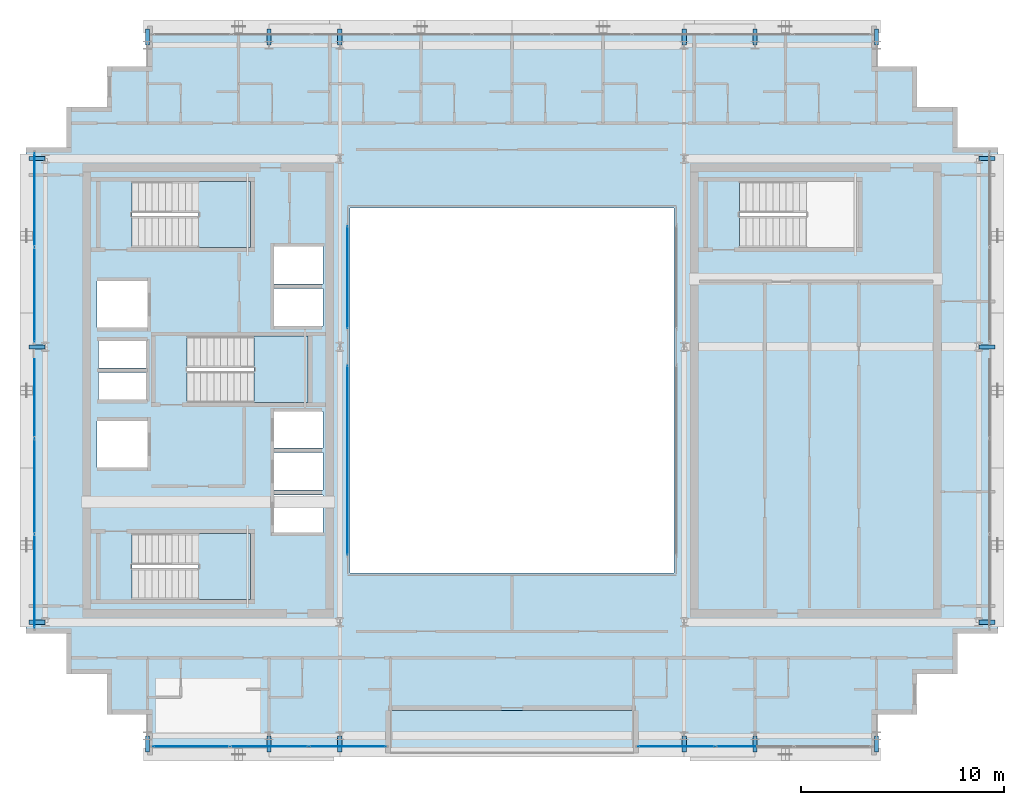
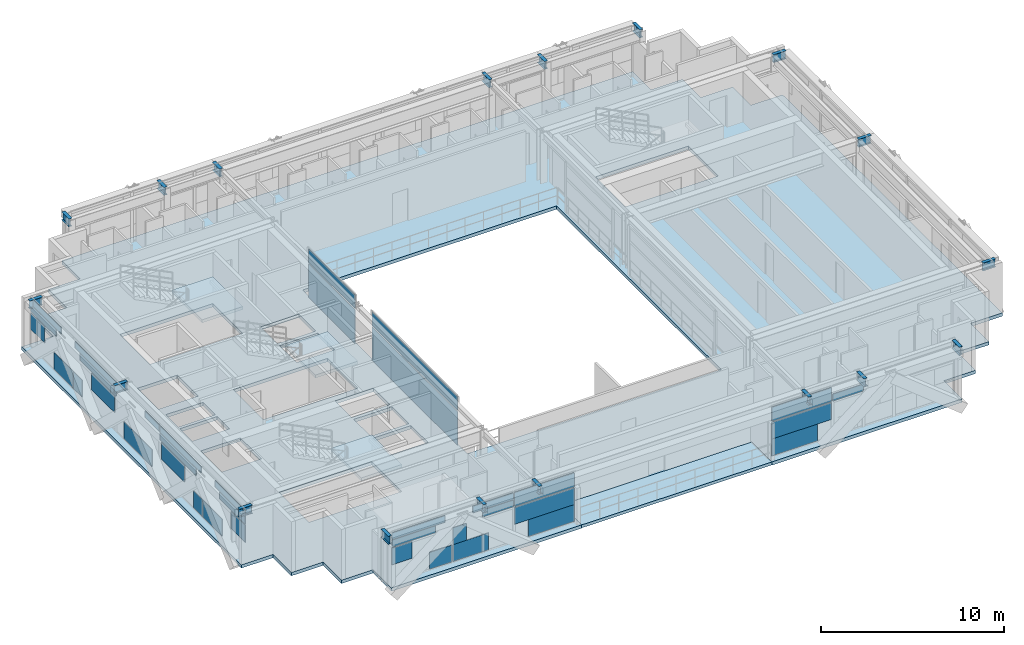
# One storey, part 18 of 29: 37 plates, 18 beams, 5 slabs, 8 elements without a shape of their own.
"""IFC4 building model written with IfcOpenShell, lengths in metres."""

from ifc_helpers import new_model, si_unit, direction, frame, origin, origin_2d, place, context, subcontext, project, spatial, polyline, rectangle, i_section, outline, extrude, source, transform, mapped, material, layer, layer_set, material_profile, profile_set, type_object, element, aggregate, save


model = new_model("IFC4")

# Units and contexts
model_context = context("Model", 3, precision=1e-05, world=origin(), true_north=direction((0.0, 1.0)))
body_context = subcontext(model_context, "Body", "Model", "MODEL_VIEW")
ifc_project = project(units=[si_unit("LENGTHUNIT", "METRE"), si_unit("AREAUNIT", "SQUARE_METRE"), si_unit("VOLUMEUNIT", "CUBIC_METRE"), si_unit("PLANEANGLEUNIT", "RADIAN"), si_unit("MASSUNIT", "GRAM", prefix="KILO")], contexts=[model_context])

# Site, building, storey
site_placement = place(None, origin())
site = spatial("IfcSite", under=ifc_project, at=site_placement, CompositionType="ELEMENT")
building_placement = place(site_placement, origin())
building = spatial("IfcBuilding", under=site, at=building_placement, Name="Ocotamira Hotel", CompositionType="ELEMENT")
storey_placement = place(building_placement, frame((0.0, 0.0, 236.39990234375)))
storey = spatial("IfcBuildingStorey", under=building, at=storey_placement, Name="L59", CompositionType="ELEMENT", Elevation=236.39990234375)

# Beams
ifc_material_1 = material(Name="Steel ASTM A992 Grade 50", Category="steel")
ifc_material_profile = material_profile(ifc_material_1, i_section(OverallWidth=0.2099609375, OverallDepth=0.537109375, WebThickness=0.010986328125, FlangeThickness=0.017333984375, FilletRadius=0.012939453125, at=origin_2d()), Name="W21X68")
ifc_profile_set = profile_set([ifc_material_profile], Name="Steel ASTM A992 Grade 50")
beam_type = type_object("IfcBeamType", Name="BM-SEC-W21X68", PredefinedType="JOIST", material=ifc_profile_set)
shared_shape_1 = source(origin(), body_context, "Body", "SweptSolid", [
    extrude(i_section(OverallWidth=0.2099609375, OverallDepth=0.537109375, WebThickness=0.010986328125, FlangeThickness=0.017333984375, FilletRadius=0.012939453125, at=origin_2d()), origin(), (0.0, 0.0, 1.0), 0.800048828125),
])
for number, where, z_axis, x_axis, name in (
    (1, (14.0, 8.949951171875, 3.111572265625), (0.0, -1.0, 0.0), (1.0, 0.0, 0.0), "L59 South Edge Header X14"),
    (2, (14.0, 43.050048828125, 3.111572265625), (0.0, 1.0, 0.0), (-1.0, 0.0, 0.0), "L59 North Edge Header X14"),
    (3, (20.0, 8.949951171875, 3.111572265625), (0.0, -1.0, 0.0), (1.0, 0.0, 0.0), "L59 South Edge Header X20"),
    (4, (20.0, 43.050048828125, 3.111572265625), (0.0, 1.0, 0.0), (-1.0, 0.0, 0.0), "L59 North Edge Header X20"),
    (5, (23.5, 8.949951171875, 3.111572265625), (0.0, -1.0, 0.0), (1.0, 0.0, 0.0), "L59 South Edge Header X23.5"),
    (6, (23.5, 43.050048828125, 3.111572265625), (0.0, 1.0, 0.0), (-1.0, 0.0, 0.0), "L59 North Edge Header X23.5"),
    (7, (40.5, 8.949951171875, 3.111572265625), (0.0, -1.0, 0.0), (1.0, 0.0, 0.0), "L59 South Edge Header X40.5"),
    (8, (40.5, 43.050048828125, 3.111572265625), (0.0, 1.0, 0.0), (-1.0, 0.0, 0.0), "L59 North Edge Header X40.5"),
    (9, (44.0, 8.949951171875, 3.111572265625), (0.0, -1.0, 0.0), (1.0, 0.0, 0.0), "L59 South Edge Header X44"),
    (10, (44.0, 43.050048828125, 3.111572265625), (0.0, 1.0, 0.0), (-1.0, 0.0, 0.0), "L59 North Edge Header X44"),
    (11, (50.0, 8.949951171875, 3.111572265625), (0.0, -1.0, 0.0), (1.0, 0.0, 0.0), "L59 South Edge Header X50"),
    (12, (50.0, 43.050048828125, 3.111572265625), (0.0, 1.0, 0.0), (-1.0, 0.0, 0.0), "L59 North Edge Header X50"),
    (13, (8.949951171875, 14.550048828125, 3.111572265625), (-1.0, 0.0, 0.0), (0.0, -1.0, 0.0), "L59 West Edge Header Y14.55"),
    (14, (55.050048828125, 14.550048828125, 3.111572265625), (1.0, 0.0, 0.0), (0.0, 1.0, 0.0), "L59 East Edge Header Y14.55"),
    (15, (8.949951171875, 28.14990234375, 3.111572265625), (-1.0, 0.0, 0.0), (0.0, -1.0, 0.0), "L59 West Edge Header Y28.15"),
    (16, (55.050048828125, 28.14990234375, 3.111572265625), (1.0, 0.0, 0.0), (0.0, 1.0, 0.0), "L59 East Edge Header Y28.15"),
    (17, (8.949951171875, 37.449951171875, 3.111572265625), (-1.0, 0.0, 0.0), (0.0, -1.0, 0.0), "L59 West Edge Header Y37.45"),
    (18, (55.050048828125, 37.449951171875, 3.111572265625), (1.0, 0.0, 0.0), (0.0, 1.0, 0.0), "L59 East Edge Header Y37.45"),
):
    element("IfcBeam", number, at=place(storey_placement, frame(where, z_axis=z_axis, x_axis=x_axis)), inside=storey, type_object=beam_type, Name=name, PredefinedType="JOIST", context=body_context, shape_type="MappedRepresentation", body=[
        mapped(shared_shape_1, transform((0.0, 0.0, 0.0), scale=1.0)),
    ])

# Slab
ifc_material_2 = material(Name="Concrete C40/50", Category="concrete")
ifc_layer_1 = layer(ifc_material_2, 0.199951171875)
ifc_layer_set_1 = layer_set([ifc_layer_1], Name="Concrete C40/50")
slab_type_1 = type_object("IfcSlabType", Name="SLB-BAL-200", PredefinedType="FLOOR", material=ifc_layer_set_1)
slab_1_placement = place(storey_placement, frame((0.0, 0.0, -0.199951171875)))
element("IfcSlab", 19, at=slab_1_placement, inside=storey, type_object=slab_type_1, Name="L59 Outdoor Sky Terrace Slab 1", PredefinedType="FLOOR", context=body_context, shape_type="SweptSolid", body=[
    extrude(outline(polyline([(26.0, 8.0), (38.0, 8.0), (38.0, 10.199951171875), (26.0, 10.199951171875), (26.0, 8.0)])), origin(), (0.0, 0.0, 1.0), 0.199951171875),
])

# Stair, slab
stair_type = type_object("IfcStairType", Name="ST-CORE-1560", PredefinedType="HALF_TURN_STAIR", material=ifc_material_2)
stair_1_placement = place(storey_placement, origin())
stair_1 = element("IfcStair", 20, at=stair_1_placement, inside=storey, type_object=stair_type, Name="L59 Exit Stair ST-1", PredefinedType="HALF_TURN_STAIR")
ifc_layer_2 = layer(ifc_material_2, 0.199951171875)
ifc_layer_set_2 = layer_set([ifc_layer_2], Name="Concrete C40/50")
slab_type_2 = type_object("IfcSlabType", Name="SLB-LAND-200", PredefinedType="LANDING", material=ifc_layer_set_2)
slab_2_placement = place(storey_placement, frame((0.0, 0.0, 1.60009765625)))
slab_2 = element("IfcSlab", 21, at=slab_2_placement, type_object=slab_type_2, Name="ST-1 landing 1", PredefinedType="LANDING", context=body_context, shape_type="SweptSolid", body=[
    extrude(outline(polyline([(16.530029296875, 15.669921875), (19.090087890625, 15.669921875), (19.090087890625, 18.949951171875), (16.530029296875, 18.949951171875), (16.530029296875, 15.669921875)])), origin(), (0.0, 0.0, 1.0), 0.199951171875),
])
aggregate(stair_1, [slab_2])

stair_2_placement = place(storey_placement, origin())
stair_2 = element("IfcStair", 22, at=stair_2_placement, inside=storey, type_object=stair_type, Name="L59 Exit Stair ST-2", PredefinedType="HALF_TURN_STAIR")
slab_3_placement = place(storey_placement, frame((0.0, 0.0, 1.60009765625)))
slab_3 = element("IfcSlab", 23, at=slab_3_placement, type_object=slab_type_2, Name="ST-2 landing 1", PredefinedType="LANDING", context=body_context, shape_type="SweptSolid", body=[
    extrude(outline(polyline([(16.530029296875, 33.050048828125), (19.090087890625, 33.050048828125), (19.090087890625, 36.330078125), (16.530029296875, 36.330078125), (16.530029296875, 33.050048828125)])), origin(), (0.0, 0.0, 1.0), 0.199951171875),
])
aggregate(stair_2, [slab_3])

stair_3_placement = place(storey_placement, origin())
stair_3 = element("IfcStair", 24, at=stair_3_placement, inside=storey, type_object=stair_type, Name="L59 Exit Stair ST-3", PredefinedType="HALF_TURN_STAIR")
slab_4_placement = place(storey_placement, frame((0.0, 0.0, 1.60009765625)))
slab_4 = element("IfcSlab", 25, at=slab_4_placement, type_object=slab_type_2, Name="ST-3 landing 1", PredefinedType="LANDING", context=body_context, shape_type="SweptSolid", body=[
    extrude(outline(polyline([(19.260009765625, 25.39990234375), (21.919921875, 25.39990234375), (21.919921875, 28.679931640625), (19.260009765625, 28.679931640625), (19.260009765625, 25.39990234375)])), origin(), (0.0, 0.0, 1.0), 0.199951171875),
])
aggregate(stair_3, [slab_4])

# Slab
ifc_layer_3 = layer(ifc_material_2, 0.219970703125)
ifc_layer_set_3 = layer_set([ifc_layer_3], Name="Concrete C40/50")
slab_type_3 = type_object("IfcSlabType", Name="SLB-UPP-220", PredefinedType="FLOOR", material=ifc_layer_set_3)
slab_5_placement = place(storey_placement, frame((0.0, 0.0, -0.219970703125)))
element("IfcSlab", 26, at=slab_5_placement, inside=storey, type_object=slab_type_3, Name="L59 Structural Floor Slab", PredefinedType="FLOOR", context=body_context, shape_type="SweptSolid", body=[
    extrude(outline(polyline([(14.0, 8.0), (14.0, 10.0), (12.0, 10.0), (12.0, 12.0), (10.0, 12.0), (10.0, 14.0), (8.0, 14.0), (8.0, 38.0), (10.0, 38.0), (10.0, 40.0), (12.0, 40.0), (12.0, 42.0), (14.0, 42.0), (14.0, 44.0), (50.0, 44.0), (50.0, 42.0), (52.0, 42.0), (52.0, 40.0), (54.0, 40.0), (54.0, 38.0), (56.0, 38.0), (56.0, 14.0), (54.0, 14.0), (54.0, 12.0), (52.0, 12.0), (52.0, 10.0), (50.0, 10.0), (50.0, 8.0), (38.0, 8.0), (38.0, 10.199951171875), (26.0, 10.199951171875), (26.0, 8.0), (14.0, 8.0)]), holes=[polyline([(24.0, 17.0), (40.0, 17.0), (40.0, 35.0), (24.0, 35.0), (24.0, 17.0)]), polyline([(13.22998046875, 15.669921875), (19.090087890625, 15.669921875), (19.090087890625, 18.949951171875), (13.22998046875, 18.949951171875), (13.22998046875, 15.669921875)]), polyline([(13.22998046875, 33.050048828125), (19.090087890625, 33.050048828125), (19.090087890625, 36.330078125), (13.22998046875, 36.330078125), (13.22998046875, 33.050048828125)]), polyline([(15.9599609375, 25.39990234375), (21.919921875, 25.39990234375), (21.919921875, 28.679931640625), (15.9599609375, 28.679931640625), (15.9599609375, 25.39990234375)]), polyline([(43.22998046875, 33.050048828125), (49.090087890625, 33.050048828125), (49.090087890625, 36.330078125), (43.22998046875, 36.330078125), (43.22998046875, 33.050048828125)]), polyline([(20.25, 19.0), (22.659912109375, 19.0), (22.659912109375, 20.85009765625), (20.25, 20.85009765625), (20.25, 19.0)]), polyline([(20.25, 21.080078125), (22.659912109375, 21.080078125), (22.659912109375, 22.929931640625), (20.25, 22.929931640625), (20.25, 21.080078125)]), polyline([(20.25, 23.159912109375), (22.659912109375, 23.159912109375), (22.659912109375, 24.9599609375), (20.25, 24.9599609375), (20.25, 23.159912109375)]), polyline([(20.25, 29.179931640625), (22.659912109375, 29.179931640625), (22.659912109375, 31.030029296875), (20.25, 31.030029296875), (20.25, 29.179931640625)]), polyline([(20.25, 31.260009765625), (22.659912109375, 31.260009765625), (22.659912109375, 33.110107421875), (20.25, 33.110107421875), (20.25, 31.260009765625)]), polyline([(11.5, 22.199951171875), (14.0, 22.199951171875), (14.0, 24.5), (11.5, 24.5), (11.5, 22.199951171875)]), polyline([(11.5, 29.10009765625), (14.0, 29.10009765625), (14.0, 31.39990234375), (11.5, 31.39990234375), (11.5, 29.10009765625)]), polyline([(11.580078125, 25.550048828125), (13.919921875, 25.550048828125), (13.919921875, 26.89990234375), (11.580078125, 26.89990234375), (11.580078125, 25.550048828125)]), polyline([(11.580078125, 27.10009765625), (13.919921875, 27.10009765625), (13.919921875, 28.449951171875), (11.580078125, 28.449951171875), (11.580078125, 27.10009765625)])]), origin(), (0.0, 0.0, 1.0), 0.219970703125),
])

# Curtain wall, plates
ifc_material_3 = material(Name="Anodised pale-metal aluminium and solar glass", Category="aluminium")
ifc_layer_4 = layer(ifc_material_3, 0.239990234375)
ifc_layer_set_4 = layer_set([ifc_layer_4], Name="Anodised pale-metal aluminium and solar glass")
curtain_wall_type_1 = type_object("IfcCurtainWallType", Name="CW-SYS5-SKY", PredefinedType="NOTDEFINED", material=ifc_layer_set_4)
curtain_wall_1_placement = place(storey_placement, origin())
curtain_wall_1 = element("IfcCurtainWall", 27, at=curtain_wall_1_placement, inside=storey, type_object=curtain_wall_type_1, Name="L59 Curtain Wall CW-5 CW-L59-S1", PredefinedType="NOTDEFINED")
ifc_material_4 = material(Name="Double-silver low-E insulated solar glass", Category="glass")
ifc_layer_5 = layer(ifc_material_4, 0.031982421875)
ifc_layer_set_5 = layer_set([ifc_layer_5], Name="Double-silver low-E insulated solar glass")
plate_type = type_object("IfcPlateType", Name="CWP-VISION-32", PredefinedType="CURTAIN_PANEL", material=ifc_layer_set_5)
shared_shape_2 = source(origin(), body_context, "Body", "SweptSolid", [
    extrude(rectangle(XDim=1.4033203125, YDim=0.031982421875, at=origin_2d()), origin(), (0.0, 0.0, 1.0), 1.118896484375),
])
plate_1_placement = place(storey_placement, frame((17.341552734375, 8.419921875, 0.0751953125), z_axis=(0.0, 0.0, 1.0), x_axis=(1.0, 0.0, 0.0)))
plate_1 = element("IfcPlate", 28, at=plate_1_placement, type_object=plate_type, Name="CW-5 panel 1.1.2", PredefinedType="CURTAIN_PANEL", context=body_context, shape_type="MappedRepresentation", body=[
    mapped(shared_shape_2, transform((0.0, 0.0, 0.0), scale=1.0)),
])
shared_shape_3 = source(origin(), body_context, "Body", "SweptSolid", [
    extrude(rectangle(XDim=3.337646484375, YDim=0.031982421875, at=origin_2d()), origin(), (0.0, 0.0, 1.0), 0.4326171875),
])
plate_2_placement = place(storey_placement, frame((15.94873046875, 8.419921875, 2.87255859375), z_axis=(0.0, 0.0, 1.0), x_axis=(1.0, 0.0, 0.0)))
plate_2 = element("IfcPlate", 29, at=plate_2_placement, type_object=plate_type, Name="CW-5 panel 1.2.2", PredefinedType="CURTAIN_PANEL", context=body_context, shape_type="MappedRepresentation", body=[
    mapped(shared_shape_3, transform((0.0, 0.0, 0.0), scale=1.0)),
])
shared_shape_4 = source(origin(), body_context, "Body", "SweptSolid", [
    extrude(rectangle(XDim=2.544189453125, YDim=0.031982421875, at=origin_2d()), origin(), (0.0, 0.0, 1.0), 0.4326171875),
])
plate_3_placement = place(storey_placement, frame((20.654541015625, 8.419921875, 2.87255859375), z_axis=(0.0, 0.0, 1.0), x_axis=(1.0, 0.0, 0.0)))
plate_3 = element("IfcPlate", 30, at=plate_3_placement, type_object=plate_type, Name="CW-5 panel 2.2.1", PredefinedType="CURTAIN_PANEL", context=body_context, shape_type="MappedRepresentation", body=[
    mapped(shared_shape_4, transform((0.0, 0.0, 0.0), scale=1.0)),
])
shared_shape_5 = source(origin(), body_context, "Body", "SweptSolid", [
    extrude(rectangle(XDim=3.76318359375, YDim=0.031982421875, at=origin_2d()), origin(), (0.0, 0.0, 1.0), 1.118896484375),
])
plate_4_placement = place(storey_placement, frame((23.88818359375, 8.419921875, 1.19384765625), z_axis=(0.0, 0.0, 1.0), x_axis=(1.0, 0.0, 0.0)))
plate_4 = element("IfcPlate", 31, at=plate_4_placement, type_object=plate_type, Name="CW-5 panel 3.1.1", PredefinedType="CURTAIN_PANEL", context=body_context, shape_type="MappedRepresentation", body=[
    mapped(shared_shape_5, transform((0.0, 0.0, 0.0), scale=1.0)),
])

# Curtain wall, plate
curtain_wall_2_placement = place(storey_placement, origin())
curtain_wall_2 = element("IfcCurtainWall", 32, at=curtain_wall_2_placement, inside=storey, type_object=curtain_wall_type_1, Name="L59 Curtain Wall CW-5 CW-L59-S2", PredefinedType="NOTDEFINED")
plate_5_placement = place(storey_placement, frame((40.11181640625, 8.419921875, 1.19384765625), z_axis=(0.0, 0.0, 1.0), x_axis=(1.0, 0.0, 0.0)))
plate_5 = element("IfcPlate", 33, at=plate_5_placement, type_object=plate_type, Name="CW-5 panel 1.1.2", PredefinedType="CURTAIN_PANEL", context=body_context, shape_type="MappedRepresentation", body=[
    mapped(shared_shape_5, transform((0.0, 0.0, 0.0), scale=1.0)),
])

# Curtain wall, plates
curtain_wall_3_placement = place(storey_placement, origin())
curtain_wall_3 = element("IfcCurtainWall", 34, at=curtain_wall_3_placement, inside=storey, type_object=curtain_wall_type_1, Name="L59 Curtain Wall CW-5 CW-L59-W", PredefinedType="NOTDEFINED")
shared_shape_6 = source(origin(), body_context, "Body", "SweptSolid", [
    extrude(rectangle(XDim=2.507568359375, YDim=0.031982421875, at=origin_2d()), origin(), (0.0, 0.0, 1.0), 1.118896484375),
])
plate_6_placement = place(storey_placement, frame((8.419921875, 22.183349609375, 1.19384765625), z_axis=(0.0, 0.0, 1.0), x_axis=(0.0, 1.0, 0.0)))
plate_6 = element("IfcPlate", 35, at=plate_6_placement, type_object=plate_type, Name="CW-5 panel 2.1.2", PredefinedType="CURTAIN_PANEL", context=body_context, shape_type="MappedRepresentation", body=[
    mapped(shared_shape_6, transform((0.0, 0.0, 0.0), scale=1.0)),
])
plate_7_placement = place(storey_placement, frame((8.419921875, 29.816650390625, 1.19384765625), z_axis=(0.0, 0.0, 1.0), x_axis=(0.0, 1.0, 0.0)))
plate_7 = element("IfcPlate", 36, at=plate_7_placement, type_object=plate_type, Name="CW-5 panel 4.1.1", PredefinedType="CURTAIN_PANEL", context=body_context, shape_type="MappedRepresentation", body=[
    mapped(shared_shape_6, transform((0.0, 0.0, 0.0), scale=1.0)),
])

# Plate
shared_shape_7 = source(origin(), body_context, "Body", "SweptSolid", [
    extrude(rectangle(XDim=1.239501953125, YDim=0.031982421875, at=origin_2d()), origin(), (0.0, 0.0, 1.0), 1.118896484375),
])
plate_8_placement = place(storey_placement, frame((14.899658203125, 8.419921875, 1.19384765625), z_axis=(0.0, 0.0, 1.0), x_axis=(1.0, 0.0, 0.0)))
plate_8 = element("IfcPlate", 37, at=plate_8_placement, type_object=plate_type, Name="CW-5 panel 1.1.1", PredefinedType="CURTAIN_PANEL", context=body_context, shape_type="MappedRepresentation", body=[
    mapped(shared_shape_7, transform((0.0, 0.0, 0.0), scale=1.0)),
])

shared_shape_8 = source(origin(), body_context, "Body", "SweptSolid", [
    extrude(rectangle(XDim=2.731689453125, YDim=0.031982421875, at=origin_2d()), origin(), (0.0, 0.0, 1.0), 0.45361328125),
])
plate_9_placement = place(storey_placement, frame((15.645751953125, 8.419921875, 2.3876953125), z_axis=(0.0, 0.0, 1.0), x_axis=(1.0, 0.0, 0.0)))
plate_9 = element("IfcPlate", 38, at=plate_9_placement, type_object=plate_type, Name="CW-5 panel 1.2.1", PredefinedType="CURTAIN_PANEL", context=body_context, shape_type="MappedRepresentation", body=[
    mapped(shared_shape_8, transform((0.0, 0.0, 0.0), scale=1.0)),
])

shared_shape_9 = source(origin(), body_context, "Body", "SweptSolid", [
    extrude(rectangle(XDim=2.23681640625, YDim=0.031982421875, at=origin_2d()), origin(), (0.0, 0.0, 1.0), 1.118896484375),
])
plate_10_placement = place(storey_placement, frame((19.24169921875, 8.419921875, 0.0751953125), z_axis=(0.0, 0.0, 1.0), x_axis=(1.0, 0.0, 0.0)))
plate_10 = element("IfcPlate", 39, at=plate_10_placement, type_object=plate_type, Name="CW-5 panel 2.1.1", PredefinedType="CURTAIN_PANEL", context=body_context, shape_type="MappedRepresentation", body=[
    mapped(shared_shape_9, transform((0.0, 0.0, 0.0), scale=1.0)),
])

shared_shape_10 = source(origin(), body_context, "Body", "SweptSolid", [
    extrude(rectangle(XDim=0.83837890625, YDim=0.031982421875, at=origin_2d()), origin(), (0.0, 0.0, 1.0), 1.118896484375),
])
plate_11_placement = place(storey_placement, frame((18.54248046875, 8.419921875, 1.19384765625), z_axis=(0.0, 0.0, 1.0), x_axis=(1.0, 0.0, 0.0)))
plate_11 = element("IfcPlate", 40, at=plate_11_placement, type_object=plate_type, Name="CW-5 panel 2.1.2", PredefinedType="CURTAIN_PANEL", context=body_context, shape_type="MappedRepresentation", body=[
    mapped(shared_shape_10, transform((0.0, 0.0, 0.0), scale=1.0)),
])

shared_shape_11 = source(origin(), body_context, "Body", "SweptSolid", [
    extrude(rectangle(XDim=1.938232421875, YDim=0.031982421875, at=origin_2d()), origin(), (0.0, 0.0, 1.0), 0.45361328125),
])
plate_12_placement = place(storey_placement, frame((20.95751953125, 8.419921875, 2.3876953125), z_axis=(0.0, 0.0, 1.0), x_axis=(1.0, 0.0, 0.0)))
plate_12 = element("IfcPlate", 41, at=plate_12_placement, type_object=plate_type, Name="CW-5 panel 2.2.2", PredefinedType="CURTAIN_PANEL", context=body_context, shape_type="MappedRepresentation", body=[
    mapped(shared_shape_11, transform((0.0, 0.0, 0.0), scale=1.0)),
])

plate_13_placement = place(storey_placement, frame((43.04248046875, 8.419921875, 2.3876953125), z_axis=(0.0, 0.0, 1.0), x_axis=(1.0, 0.0, 0.0)))
plate_13 = element("IfcPlate", 42, at=plate_13_placement, type_object=plate_type, Name="CW-5 panel 2.2.1", PredefinedType="CURTAIN_PANEL", context=body_context, shape_type="MappedRepresentation", body=[
    mapped(shared_shape_11, transform((0.0, 0.0, 0.0), scale=1.0)),
])

shared_shape_12 = source(origin(), body_context, "Body", "SweptSolid", [
    extrude(rectangle(XDim=2.89111328125, YDim=0.031982421875, at=origin_2d()), origin(), (0.0, 0.0, 1.0), 1.118896484375),
])
plate_14_placement = place(storey_placement, frame((24.324462890625, 8.419921875, 0.0751953125), z_axis=(0.0, 0.0, 1.0), x_axis=(1.0, 0.0, 0.0)))
plate_14 = element("IfcPlate", 43, at=plate_14_placement, type_object=plate_type, Name="CW-5 panel 3.1.2", PredefinedType="CURTAIN_PANEL", context=body_context, shape_type="MappedRepresentation", body=[
    mapped(shared_shape_12, transform((0.0, 0.0, 0.0), scale=1.0)),
])

plate_15_placement = place(storey_placement, frame((39.675537109375, 8.419921875, 0.0751953125), z_axis=(0.0, 0.0, 1.0), x_axis=(1.0, 0.0, 0.0)))
plate_15 = element("IfcPlate", 44, at=plate_15_placement, type_object=plate_type, Name="CW-5 panel 1.1.1", PredefinedType="CURTAIN_PANEL", context=body_context, shape_type="MappedRepresentation", body=[
    mapped(shared_shape_12, transform((0.0, 0.0, 0.0), scale=1.0)),
])

shared_shape_13 = source(origin(), body_context, "Body", "SweptSolid", [
    extrude(rectangle(XDim=3.763427734375, YDim=0.031982421875, at=origin_2d()), origin(), (0.0, 0.0, 1.0), 0.91748046875),
])
plate_16_placement = place(storey_placement, frame((23.888427734375, 8.419921875, 2.3876953125), z_axis=(0.0, 0.0, 1.0), x_axis=(1.0, 0.0, 0.0)))
plate_16 = element("IfcPlate", 45, at=plate_16_placement, type_object=plate_type, Name="CW-5 panel 3.2", PredefinedType="CURTAIN_PANEL", context=body_context, shape_type="MappedRepresentation", body=[
    mapped(shared_shape_13, transform((0.0, 0.0, 0.0), scale=1.0)),
])

aggregate(curtain_wall_1, [plate_8, plate_1, plate_9, plate_2, plate_10, plate_11, plate_3, plate_12, plate_4, plate_14, plate_16])

plate_17_placement = place(storey_placement, frame((40.111572265625, 8.419921875, 2.3876953125), z_axis=(0.0, 0.0, 1.0), x_axis=(1.0, 0.0, 0.0)))
plate_17 = element("IfcPlate", 46, at=plate_17_placement, type_object=plate_type, Name="CW-5 panel 1.2", PredefinedType="CURTAIN_PANEL", context=body_context, shape_type="MappedRepresentation", body=[
    mapped(shared_shape_13, transform((0.0, 0.0, 0.0), scale=1.0)),
])

aggregate(curtain_wall_2, [plate_15, plate_5, plate_17, plate_13])

shared_shape_14 = source(origin(), body_context, "Body", "SweptSolid", [
    extrude(rectangle(XDim=1.523681640625, YDim=0.031982421875, at=origin_2d()), origin(), (0.0, 0.0, 1.0), 1.118896484375),
])
plate_18_placement = place(storey_placement, frame((8.419921875, 15.0419921875, 1.19384765625), z_axis=(0.0, 0.0, 1.0), x_axis=(0.0, 1.0, 0.0)))
plate_18 = element("IfcPlate", 47, at=plate_18_placement, type_object=plate_type, Name="CW-5 panel 1.1.1", PredefinedType="CURTAIN_PANEL", context=body_context, shape_type="MappedRepresentation", body=[
    mapped(shared_shape_14, transform((0.0, 0.0, 0.0), scale=1.0)),
])

plate_19_placement = place(storey_placement, frame((8.419921875, 36.9580078125, 1.19384765625), z_axis=(0.0, 0.0, 1.0), x_axis=(0.0, 1.0, 0.0)))
plate_19 = element("IfcPlate", 48, at=plate_19_placement, type_object=plate_type, Name="CW-5 panel 5.1.2", PredefinedType="CURTAIN_PANEL", context=body_context, shape_type="MappedRepresentation", body=[
    mapped(shared_shape_14, transform((0.0, 0.0, 0.0), scale=1.0)),
])

shared_shape_15 = source(origin(), body_context, "Body", "SweptSolid", [
    extrude(rectangle(XDim=2.05615234375, YDim=0.031982421875, at=origin_2d()), origin(), (0.0, 0.0, 1.0), 1.118896484375),
])
plate_20_placement = place(storey_placement, frame((8.419921875, 17.85205078125, 0.0751953125), z_axis=(0.0, 0.0, 1.0), x_axis=(0.0, 1.0, 0.0)))
plate_20 = element("IfcPlate", 49, at=plate_20_placement, type_object=plate_type, Name="CW-5 panel 1.1.2", PredefinedType="CURTAIN_PANEL", context=body_context, shape_type="MappedRepresentation", body=[
    mapped(shared_shape_15, transform((0.0, 0.0, 0.0), scale=1.0)),
])

plate_21_placement = place(storey_placement, frame((8.419921875, 34.14794921875, 0.0751953125), z_axis=(0.0, 0.0, 1.0), x_axis=(0.0, 1.0, 0.0)))
plate_21 = element("IfcPlate", 50, at=plate_21_placement, type_object=plate_type, Name="CW-5 panel 5.1.1", PredefinedType="CURTAIN_PANEL", context=body_context, shape_type="MappedRepresentation", body=[
    mapped(shared_shape_15, transform((0.0, 0.0, 0.0), scale=1.0)),
])

shared_shape_16 = source(origin(), body_context, "Body", "SweptSolid", [
    extrude(rectangle(XDim=2.789306640625, YDim=0.031982421875, at=origin_2d()), origin(), (0.0, 0.0, 1.0), 0.470703125),
])
plate_22_placement = place(storey_placement, frame((8.419921875, 15.6748046875, 2.3876953125), z_axis=(0.0, 0.0, 1.0), x_axis=(0.0, 1.0, 0.0)))
plate_22 = element("IfcPlate", 51, at=plate_22_placement, type_object=plate_type, Name="CW-5 panel 1.2.1", PredefinedType="CURTAIN_PANEL", context=body_context, shape_type="MappedRepresentation", body=[
    mapped(shared_shape_16, transform((0.0, 0.0, 0.0), scale=1.0)),
])

plate_23_placement = place(storey_placement, frame((8.419921875, 36.3251953125, 2.3876953125), z_axis=(0.0, 0.0, 1.0), x_axis=(0.0, 1.0, 0.0)))
plate_23 = element("IfcPlate", 52, at=plate_23_placement, type_object=plate_type, Name="CW-5 panel 5.2.2", PredefinedType="CURTAIN_PANEL", context=body_context, shape_type="MappedRepresentation", body=[
    mapped(shared_shape_16, transform((0.0, 0.0, 0.0), scale=1.0)),
])

shared_shape_17 = source(origin(), body_context, "Body", "SweptSolid", [
    extrude(rectangle(XDim=3.32470703125, YDim=0.031982421875, at=origin_2d()), origin(), (0.0, 0.0, 1.0), 0.41259765625),
])
plate_24_placement = place(storey_placement, frame((8.419921875, 15.9423828125, 2.892578125), z_axis=(0.0, 0.0, 1.0), x_axis=(0.0, 1.0, 0.0)))
plate_24 = element("IfcPlate", 53, at=plate_24_placement, type_object=plate_type, Name="CW-5 panel 1.2.2", PredefinedType="CURTAIN_PANEL", context=body_context, shape_type="MappedRepresentation", body=[
    mapped(shared_shape_17, transform((0.0, 0.0, 0.0), scale=1.0)),
])

plate_25_placement = place(storey_placement, frame((8.419921875, 36.0576171875, 2.892578125), z_axis=(0.0, 0.0, 1.0), x_axis=(0.0, 1.0, 0.0)))
plate_25 = element("IfcPlate", 54, at=plate_25_placement, type_object=plate_type, Name="CW-5 panel 5.2.1", PredefinedType="CURTAIN_PANEL", context=body_context, shape_type="MappedRepresentation", body=[
    mapped(shared_shape_17, transform((0.0, 0.0, 0.0), scale=1.0)),
])

shared_shape_18 = source(origin(), body_context, "Body", "SweptSolid", [
    extrude(rectangle(XDim=0.94921875, YDim=0.031982421875, at=origin_2d()), origin(), (0.0, 0.0, 1.0), 1.118896484375),
])
plate_26_placement = place(storey_placement, frame((8.419921875, 19.434814453125, 0.0751953125), z_axis=(0.0, 0.0, 1.0), x_axis=(0.0, 1.0, 0.0)))
plate_26 = element("IfcPlate", 55, at=plate_26_placement, type_object=plate_type, Name="CW-5 panel 2.1.1", PredefinedType="CURTAIN_PANEL", context=body_context, shape_type="MappedRepresentation", body=[
    mapped(shared_shape_18, transform((0.0, 0.0, 0.0), scale=1.0)),
])

plate_27_placement = place(storey_placement, frame((8.419921875, 32.565185546875, 0.0751953125), z_axis=(0.0, 0.0, 1.0), x_axis=(0.0, 1.0, 0.0)))
plate_27 = element("IfcPlate", 56, at=plate_27_placement, type_object=plate_type, Name="CW-5 panel 4.1.2", PredefinedType="CURTAIN_PANEL", context=body_context, shape_type="MappedRepresentation", body=[
    mapped(shared_shape_18, transform((0.0, 0.0, 0.0), scale=1.0)),
])

shared_shape_19 = source(origin(), body_context, "Body", "SweptSolid", [
    extrude(rectangle(XDim=4.4716796875, YDim=0.031982421875, at=origin_2d()), origin(), (0.0, 0.0, 1.0), 0.41259765625),
])
plate_28_placement = place(storey_placement, frame((8.419921875, 21.3642578125, 2.892578125), z_axis=(0.0, 0.0, 1.0), x_axis=(0.0, 1.0, 0.0)))
plate_28 = element("IfcPlate", 57, at=plate_28_placement, type_object=plate_type, Name="CW-5 panel 2.2.1", PredefinedType="CURTAIN_PANEL", context=body_context, shape_type="MappedRepresentation", body=[
    mapped(shared_shape_19, transform((0.0, 0.0, 0.0), scale=1.0)),
])

plate_29_placement = place(storey_placement, frame((8.419921875, 30.6357421875, 2.892578125), z_axis=(0.0, 0.0, 1.0), x_axis=(0.0, 1.0, 0.0)))
plate_29 = element("IfcPlate", 58, at=plate_29_placement, type_object=plate_type, Name="CW-5 panel 4.2.2", PredefinedType="CURTAIN_PANEL", context=body_context, shape_type="MappedRepresentation", body=[
    mapped(shared_shape_19, transform((0.0, 0.0, 0.0), scale=1.0)),
])

shared_shape_20 = source(origin(), body_context, "Body", "SweptSolid", [
    extrude(rectangle(XDim=3.93603515625, YDim=0.031982421875, at=origin_2d()), origin(), (0.0, 0.0, 1.0), 0.470703125),
])
plate_30_placement = place(storey_placement, frame((8.419921875, 21.6318359375, 2.3876953125), z_axis=(0.0, 0.0, 1.0), x_axis=(0.0, 1.0, 0.0)))
plate_30 = element("IfcPlate", 59, at=plate_30_placement, type_object=plate_type, Name="CW-5 panel 2.2.2", PredefinedType="CURTAIN_PANEL", context=body_context, shape_type="MappedRepresentation", body=[
    mapped(shared_shape_20, transform((0.0, 0.0, 0.0), scale=1.0)),
])

plate_31_placement = place(storey_placement, frame((8.419921875, 30.3681640625, 2.3876953125), z_axis=(0.0, 0.0, 1.0), x_axis=(0.0, 1.0, 0.0)))
plate_31 = element("IfcPlate", 60, at=plate_31_placement, type_object=plate_type, Name="CW-5 panel 4.2.1", PredefinedType="CURTAIN_PANEL", context=body_context, shape_type="MappedRepresentation", body=[
    mapped(shared_shape_20, transform((0.0, 0.0, 0.0), scale=1.0)),
])

shared_shape_21 = source(origin(), body_context, "Body", "SweptSolid", [
    extrude(rectangle(XDim=3.08544921875, YDim=0.031982421875, at=origin_2d()), origin(), (0.0, 0.0, 1.0), 1.118896484375),
])
plate_32_placement = place(storey_placement, frame((8.419921875, 26.0, 0.0751953125), z_axis=(0.0, 0.0, 1.0), x_axis=(0.0, 1.0, 0.0)))
plate_32 = element("IfcPlate", 61, at=plate_32_placement, type_object=plate_type, Name="CW-5 panel 3.1.1", PredefinedType="CURTAIN_PANEL", context=body_context, shape_type="MappedRepresentation", body=[
    mapped(shared_shape_21, transform((0.0, 0.0, 0.0), scale=1.0)),
])

shared_shape_22 = source(origin(), body_context, "Body", "SweptSolid", [
    extrude(rectangle(XDim=1.55810546875, YDim=0.031982421875, at=origin_2d()), origin(), (0.0, 0.0, 1.0), 0.41259765625),
])
plate_33_placement = place(storey_placement, frame((8.419921875, 24.458984375, 2.892578125), z_axis=(0.0, 0.0, 1.0), x_axis=(0.0, 1.0, 0.0)))
plate_33 = element("IfcPlate", 62, at=plate_33_placement, type_object=plate_type, Name="CW-5 panel 3.2.1", PredefinedType="CURTAIN_PANEL", context=body_context, shape_type="MappedRepresentation", body=[
    mapped(shared_shape_22, transform((0.0, 0.0, 0.0), scale=1.0)),
])

aggregate(curtain_wall_3, [plate_18, plate_20, plate_22, plate_24, plate_26, plate_6, plate_28, plate_30, plate_32, plate_33, plate_7, plate_27, plate_31, plate_29, plate_21, plate_19, plate_25, plate_23])

# Curtain wall, plates
ifc_layer_6 = layer(ifc_material_3, 0.159912109375)
ifc_layer_set_6 = layer_set([ifc_layer_6], Name="Anodised pale-metal aluminium and solar glass")
curtain_wall_type_2 = type_object("IfcCurtainWallType", Name="CW-SYS6-ATR", PredefinedType="NOTDEFINED", material=ifc_layer_set_6)
curtain_wall_4_placement = place(storey_placement, origin())
curtain_wall_4 = element("IfcCurtainWall", 63, at=curtain_wall_4_placement, inside=storey, type_object=curtain_wall_type_2, Name="L59 Curtain Wall CW-6 CW-L59-ATRW1", PredefinedType="NOTDEFINED")
shared_shape_23 = source(origin(), body_context, "Body", "SweptSolid", [
    extrude(rectangle(XDim=9.340087890625, YDim=0.031982421875, at=origin_2d()), origin(), (0.0, 0.0, 1.0), 2.237548828125),
])
plate_34_placement = place(storey_placement, frame((23.8798828125, 22.550048828125, 0.0751953125), z_axis=(0.0, 0.0, 1.0), x_axis=(0.0, 1.0, 0.0)))
plate_34 = element("IfcPlate", 64, at=plate_34_placement, type_object=plate_type, Name="CW-6 panel 1.1", PredefinedType="CURTAIN_PANEL", context=body_context, shape_type="MappedRepresentation", body=[
    mapped(shared_shape_23, transform((0.0, 0.0, 0.0), scale=1.0)),
])
shared_shape_24 = source(origin(), body_context, "Body", "SweptSolid", [
    extrude(rectangle(XDim=9.340087890625, YDim=0.031982421875, at=origin_2d()), origin(), (0.0, 0.0, 1.0), 0.91748046875),
])
plate_35_placement = place(storey_placement, frame((23.8798828125, 22.550048828125, 2.3876953125), z_axis=(0.0, 0.0, 1.0), x_axis=(0.0, 1.0, 0.0)))
plate_35 = element("IfcPlate", 65, at=plate_35_placement, type_object=plate_type, Name="CW-6 panel 1.2", PredefinedType="CURTAIN_PANEL", context=body_context, shape_type="MappedRepresentation", body=[
    mapped(shared_shape_24, transform((0.0, 0.0, 0.0), scale=1.0)),
])
aggregate(curtain_wall_4, [plate_34, plate_35])

curtain_wall_5_placement = place(storey_placement, origin())
curtain_wall_5 = element("IfcCurtainWall", 66, at=curtain_wall_5_placement, inside=storey, type_object=curtain_wall_type_2, Name="L59 Curtain Wall CW-6 CW-L59-ATRW2", PredefinedType="NOTDEFINED")
shared_shape_25 = source(origin(), body_context, "Body", "SweptSolid", [
    extrude(rectangle(XDim=5.0400390625, YDim=0.031982421875, at=origin_2d()), origin(), (0.0, 0.0, 1.0), 2.237548828125),
])
plate_36_placement = place(storey_placement, frame((23.8798828125, 31.60009765625, 0.0751953125), z_axis=(0.0, 0.0, 1.0), x_axis=(0.0, 1.0, 0.0)))
plate_36 = element("IfcPlate", 67, at=plate_36_placement, type_object=plate_type, Name="CW-6 panel 1.1", PredefinedType="CURTAIN_PANEL", context=body_context, shape_type="MappedRepresentation", body=[
    mapped(shared_shape_25, transform((0.0, 0.0, 0.0), scale=1.0)),
])
shared_shape_26 = source(origin(), body_context, "Body", "SweptSolid", [
    extrude(rectangle(XDim=5.0400390625, YDim=0.031982421875, at=origin_2d()), origin(), (0.0, 0.0, 1.0), 0.91748046875),
])
plate_37_placement = place(storey_placement, frame((23.8798828125, 31.60009765625, 2.3876953125), z_axis=(0.0, 0.0, 1.0), x_axis=(0.0, 1.0, 0.0)))
plate_37 = element("IfcPlate", 68, at=plate_37_placement, type_object=plate_type, Name="CW-6 panel 1.2", PredefinedType="CURTAIN_PANEL", context=body_context, shape_type="MappedRepresentation", body=[
    mapped(shared_shape_26, transform((0.0, 0.0, 0.0), scale=1.0)),
])
aggregate(curtain_wall_5, [plate_36, plate_37])

save(model, "model.ifc")
